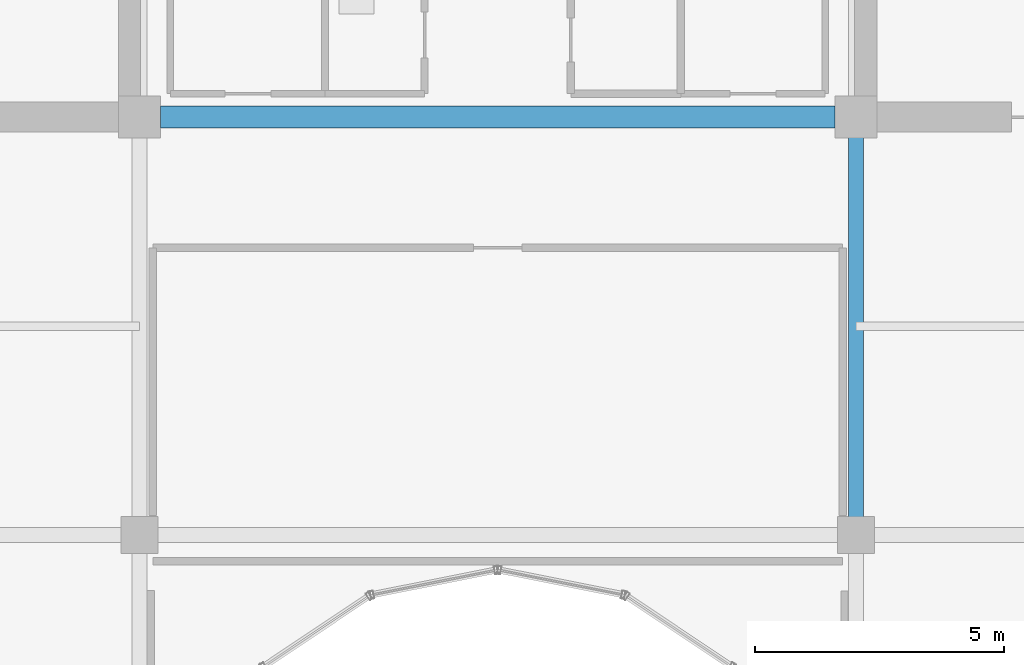
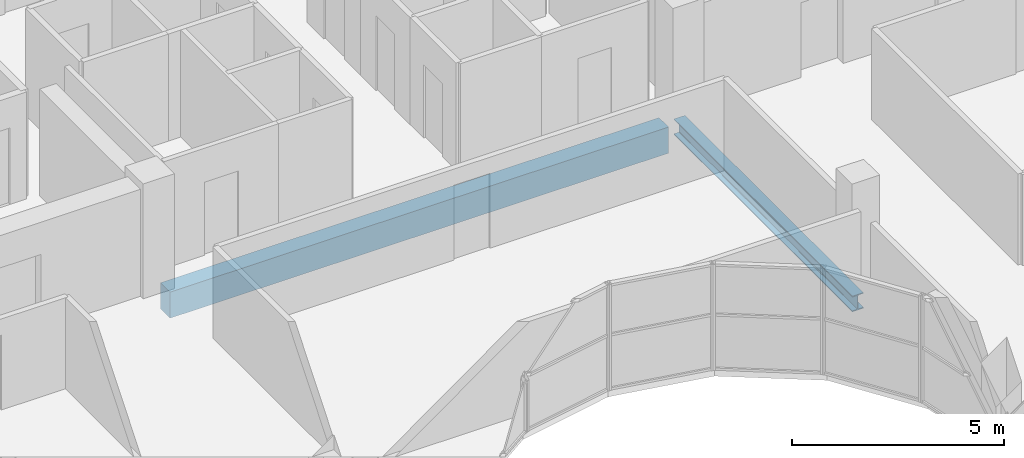
# One storey, part 8 of 29: 2 beams.
"""IFC4 building model written with IfcOpenShell, lengths in metres."""

from ifc_helpers import new_model, si_unit, direction, frame, origin, origin_2d, place, context, subcontext, project, spatial, rectangle, i_section, extrude, material, material_profile, profile_set, type_object, element, save


model = new_model("IFC4")

# Units and contexts
model_context = context("Model", 3, precision=1e-05, world=origin(), true_north=direction((0.0, 1.0)))
body_context = subcontext(model_context, "Body", "Model", "MODEL_VIEW")
ifc_project = project(units=[si_unit("LENGTHUNIT", "METRE"), si_unit("AREAUNIT", "SQUARE_METRE"), si_unit("VOLUMEUNIT", "CUBIC_METRE"), si_unit("PLANEANGLEUNIT", "RADIAN"), si_unit("MASSUNIT", "GRAM", prefix="KILO")], contexts=[model_context])

# Site, building, storey
site_placement = place(None, origin())
site = spatial("IfcSite", under=ifc_project, at=site_placement, CompositionType="ELEMENT")
building_placement = place(site_placement, origin())
building = spatial("IfcBuilding", under=site, at=building_placement, Name="Zarnakvel Exchange Tower", CompositionType="ELEMENT")
storey_placement = place(building_placement, frame((0.0, 0.0, 258.39990234375)))
storey = spatial("IfcBuildingStorey", under=building, at=storey_placement, Name="L73", CompositionType="ELEMENT", Elevation=258.39990234375)

# Beams
ifc_material_1 = material(Name="Concrete C50/60", Category="concrete")
ifc_material_profile_1 = material_profile(ifc_material_1, rectangle(XDim=0.449951171875, YDim=0.75, at=origin_2d()))
ifc_profile_set_1 = profile_set([ifc_material_profile_1], Name="Concrete C50/60")
beam_type_1 = type_object("IfcBeamType", Name="CB-03", PredefinedType="LINTEL", material=ifc_profile_set_1)
beam_1_placement = place(storey_placement, frame((-6.77490234375, -1.199951171875, -0.599853515625), z_axis=(1.0, 0.0, 0.0), x_axis=(0.0, 1.0, 0.0)))
element("IfcBeam", 1, at=beam_1_placement, inside=storey, type_object=beam_type_1, Name="L73 Rear Core South Coupling Beam (CB-03)", PredefinedType="LINTEL", context=body_context, shape_type="SweptSolid", body=[
    extrude(rectangle(XDim=0.449951171875, YDim=0.75, at=origin_2d()), origin(), (0.0, 0.0, 1.0), 13.5498046875),
])
ifc_material_2 = material(Name="Steel S355", Category="steel")
ifc_material_profile_2 = material_profile(ifc_material_2, i_section(OverallWidth=0.300048828125, OverallDepth=0.449951171875, WebThickness=0.013916015625, FlangeThickness=0.02587890625, FilletRadius=0.027099609375, at=origin_2d()))
ifc_profile_set_2 = profile_set([ifc_material_profile_2], Name="Steel S355")
beam_type_2 = type_object("IfcBeamType", Name="G-07", PredefinedType="BEAM", material=ifc_profile_set_2)
beam_2_placement = place(storey_placement, frame((7.199951171875, -9.60009765625, -0.449951171875), z_axis=(0.0, 1.0, 0.0), x_axis=(-1.0, 0.0, 0.0)))
element("IfcBeam", 2, at=beam_2_placement, inside=storey, type_object=beam_type_2, Name="L73 Tower N-S Frame Beam", PredefinedType="BEAM", context=body_context, shape_type="SweptSolid", body=[
    extrude(i_section(OverallWidth=0.300048828125, OverallDepth=0.449951171875, WebThickness=0.013916015625, FlangeThickness=0.02587890625, FilletRadius=0.027099609375, at=origin_2d()), origin(), (0.0, 0.0, 1.0), 8.400146484375),
])

save(model, "model.ifc")
